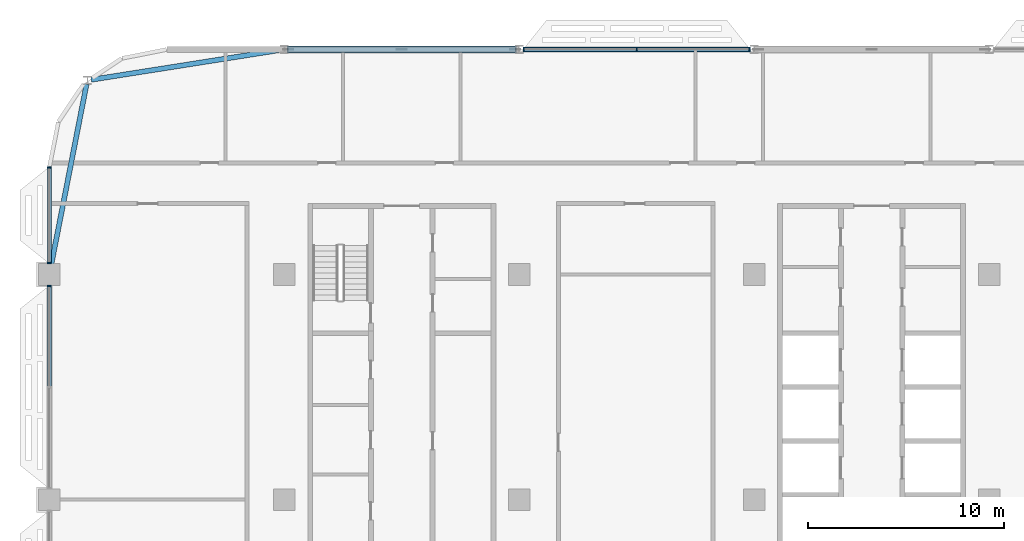
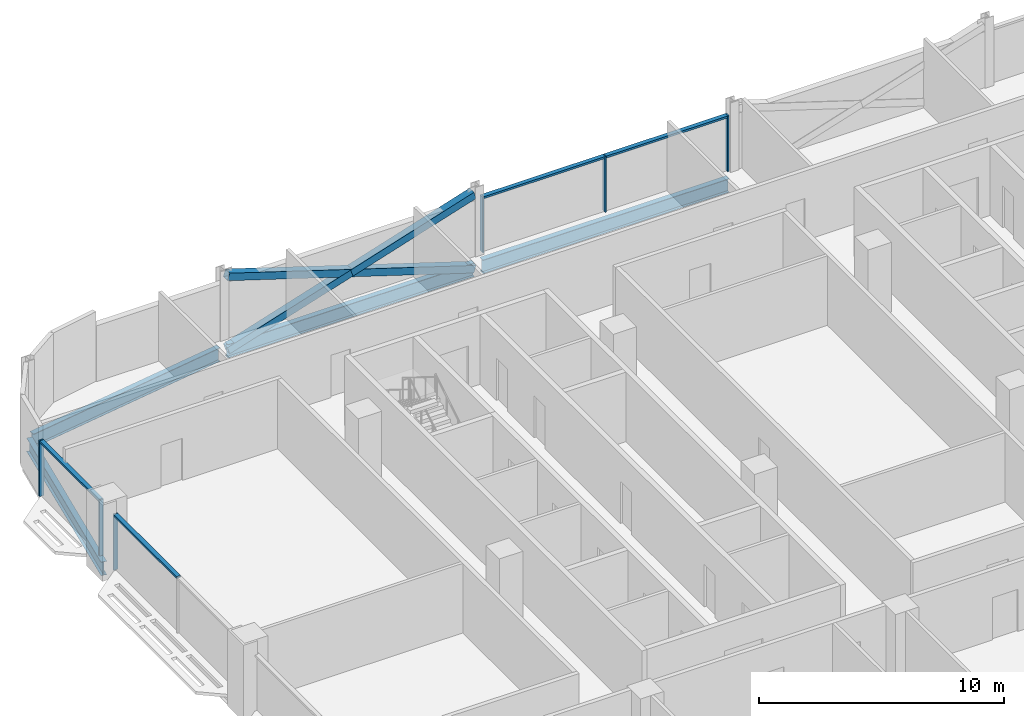
# One storey, part 7 of 29: 13 members, 4 beams, 3 elements without a shape of their own.
"""IFC4 building model written with IfcOpenShell, lengths in metres."""

from ifc_helpers import new_model, si_unit, direction, frame, origin, origin_2d, place, context, subcontext, project, spatial, rectangle, hollow_rectangle, i_section, extrude, material, material_profile, profile_set, type_object, element, aggregate, save


model = new_model("IFC4")

# Units and contexts
model_context = context("Model", 3, precision=1e-05, world=origin(), true_north=direction((0.0, 1.0)))
body_context = subcontext(model_context, "Body", "Model", "MODEL_VIEW")
ifc_project = project(units=[si_unit("LENGTHUNIT", "METRE"), si_unit("AREAUNIT", "SQUARE_METRE"), si_unit("VOLUMEUNIT", "CUBIC_METRE"), si_unit("PLANEANGLEUNIT", "RADIAN"), si_unit("MASSUNIT", "GRAM", prefix="KILO")], contexts=[model_context])

# Site, building, storey
site_placement = place(None, origin())
site = spatial("IfcSite", under=ifc_project, at=site_placement, CompositionType="ELEMENT")
building_placement = place(site_placement, origin())
building = spatial("IfcBuilding", under=site, at=building_placement, Name="Mahtab Terrace Research Tower", CompositionType="ELEMENT")
storey_placement = place(building_placement, frame((0.0, 0.0, 197.699951171875)))
storey = spatial("IfcBuildingStorey", under=building, at=storey_placement, Name="L47", CompositionType="ELEMENT", Elevation=197.699951171875)

# Members
ifc_material_1 = material(Name="Steel ASTM A500 Gr C", Category="steel")
ifc_material_profile_1 = material_profile(ifc_material_1, hollow_rectangle(XDim=0.355712890625, YDim=0.355712890625, WallThickness=0.015869140625, at=origin_2d()), Name="HSS14X14X5/8")
ifc_profile_set_1 = profile_set([ifc_material_profile_1], Name="Steel ASTM A500 Gr C")
member_type_1 = type_object("IfcMemberType", Name="HSS 14x14x5/8 brace XB141458", PredefinedType="BRACE", material=ifc_profile_set_1)
member_1_placement = place(storey_placement, frame((-18.20068359375, 23.0, -0.615478515625), z_axis=(-0.953343380425, 0.0, 0.301888057067), x_axis=(0.0, -1.0, 0.0)))
element("IfcMember", 1, at=member_1_placement, inside=storey, type_object=member_type_1, Name="Exoskeleton brace L47 07 a", PredefinedType="BRACE", context=body_context, shape_type="SweptSolid", body=[
    extrude(hollow_rectangle(XDim=0.355712890625, YDim=0.355712890625, WallThickness=0.015869140625, at=origin_2d()), origin(), (0.0, 0.0, 1.0), 12.166259765625),
])
for number, where, z_axis, x_axis, name in (
    (2, (-29.79931640625, 23.0, -0.615478515625), (0.953343380425, 0.0, 0.301888057067), (0.0, 1.0, 0.0), "Exoskeleton brace L47 07 b1"),
    (3, (-24.0, 23.0, 1.220947265625), (0.953343380425, 0.0, 0.301888057067), (0.0, 1.0, 0.0), "Exoskeleton brace L47 07 b2"),
):
    element("IfcMember", number, at=place(storey_placement, frame(where, z_axis=z_axis, x_axis=x_axis)), inside=storey, type_object=member_type_1, Name=name, PredefinedType="BRACE", context=body_context, shape_type="SweptSolid", body=[
        extrude(hollow_rectangle(XDim=0.355712890625, YDim=0.355712890625, WallThickness=0.015869140625, at=origin_2d()), origin(), (0.0, 0.0, 1.0), 6.083251953125),
    ])

# Curtain wall, members
ifc_material_2 = material(Name="Laboratory ribbon curtain wall")
curtain_wall_type = type_object("IfcCurtainWallType", Name="Laboratory ribbon curtain wall", PredefinedType="NOTDEFINED", material=ifc_material_2)
curtain_wall_1_placement = place(storey_placement, origin())
curtain_wall_1 = element("IfcCurtainWall", 4, at=curtain_wall_1_placement, inside=storey, type_object=curtain_wall_type, Name="EN.L47.3.8", PredefinedType="NOTDEFINED")
ifc_material_3 = material(Name="Natural anodised aluminium", Category="aluminium")
ifc_material_profile_2 = material_profile(ifc_material_3, rectangle(XDim=0.199951171875, YDim=0.06494140625, at=origin_2d()), Name="MULLION 65x200")
ifc_profile_set_2 = profile_set([ifc_material_profile_2], Name="Natural anodised aluminium")
member_type_2 = type_object("IfcMemberType", Name="Laboratory ribbon curtain wall mullion", PredefinedType="MULLION", material=ifc_profile_set_2)
member_2_placement = place(storey_placement, frame((-6.232421875, 23.0, 0.0), z_axis=(0.0, 0.0, 1.0), x_axis=(0.0, -1.0, 0.0)))
member_2 = element("IfcMember", 5, at=member_2_placement, type_object=member_type_2, Name="CWL-6 mullion 1", PredefinedType="MULLION", context=body_context, shape_type="SweptSolid", body=[
    extrude(rectangle(XDim=0.199951171875, YDim=0.06494140625, at=origin_2d()), origin(), (0.0, 0.0, 1.0), 2.78173828125),
])
member_3_placement = place(storey_placement, frame((-12.0, 23.0, 0.0), z_axis=(0.0, 0.0, 1.0), x_axis=(0.0, -1.0, 0.0)))
member_3 = element("IfcMember", 6, at=member_3_placement, type_object=member_type_2, Name="CWL-6 mullion 2", PredefinedType="MULLION", context=body_context, shape_type="SweptSolid", body=[
    extrude(rectangle(XDim=0.199951171875, YDim=0.06494140625, at=origin_2d()), origin(), (0.0, 0.0, 1.0), 2.78173828125),
])
member_4_placement = place(storey_placement, frame((-17.767578125, 23.0, 0.0), z_axis=(0.0, 0.0, 1.0), x_axis=(0.0, -1.0, 0.0)))
member_4 = element("IfcMember", 7, at=member_4_placement, type_object=member_type_2, Name="CWL-6 mullion 3", PredefinedType="MULLION", context=body_context, shape_type="SweptSolid", body=[
    extrude(rectangle(XDim=0.199951171875, YDim=0.06494140625, at=origin_2d()), origin(), (0.0, 0.0, 1.0), 2.78173828125),
])

curtain_wall_2_placement = place(storey_placement, origin())
curtain_wall_2 = element("IfcCurtainWall", 8, at=curtain_wall_2_placement, inside=storey, type_object=curtain_wall_type, Name="EN.L47.8.15", PredefinedType="NOTDEFINED")
member_5_placement = place(storey_placement, frame((-42.0, 16.967529296875, 0.0), z_axis=(0.0, 0.0, 1.0), x_axis=(1.0, 0.0, 0.0)))
member_5 = element("IfcMember", 9, at=member_5_placement, type_object=member_type_2, Name="CWL-6 mullion 1", PredefinedType="MULLION", context=body_context, shape_type="SweptSolid", body=[
    extrude(rectangle(XDim=0.199951171875, YDim=0.06494140625, at=origin_2d()), origin(), (0.0, 0.0, 1.0), 2.78173828125),
])
member_6_placement = place(storey_placement, frame((-42.0, 12.08251953125, 0.0), z_axis=(0.0, 0.0, 1.0), x_axis=(1.0, 0.0, 0.0)))
member_6 = element("IfcMember", 10, at=member_6_placement, type_object=member_type_2, Name="CWL-6 mullion 2", PredefinedType="MULLION", context=body_context, shape_type="SweptSolid", body=[
    extrude(rectangle(XDim=0.199951171875, YDim=0.06494140625, at=origin_2d()), origin(), (0.0, 0.0, 1.0), 2.78173828125),
])

# Curtain wall, member
curtain_wall_3_placement = place(storey_placement, origin())
curtain_wall_3 = element("IfcCurtainWall", 11, at=curtain_wall_3_placement, inside=storey, type_object=curtain_wall_type, Name="EN.L47.8.16", PredefinedType="NOTDEFINED")
member_7_placement = place(storey_placement, frame((-42.0, 10.91748046875, 0.0), z_axis=(0.0, 0.0, 1.0), x_axis=(1.0, 0.0, 0.0)))
member_7 = element("IfcMember", 12, at=member_7_placement, type_object=member_type_2, Name="CWL-6 mullion 1", PredefinedType="MULLION", context=body_context, shape_type="SweptSolid", body=[
    extrude(rectangle(XDim=0.199951171875, YDim=0.06494140625, at=origin_2d()), origin(), (0.0, 0.0, 1.0), 2.78173828125),
])

# Member
ifc_material_profile_3 = material_profile(ifc_material_3, rectangle(XDim=0.199951171875, YDim=0.10009765625, at=origin_2d()), Name="TRANSOM 100x200")
ifc_profile_set_3 = profile_set([ifc_material_profile_3], Name="Natural anodised aluminium")
member_type_3 = type_object("IfcMemberType", Name="Laboratory ribbon curtain wall transom", PredefinedType="USERDEFINED", material=ifc_profile_set_3)
member_8_placement = place(storey_placement, frame((-6.264892578125, 23.0, 2.73193359375), z_axis=(-1.0, 0.0, 0.0), x_axis=(0.0, -1.0, 0.0)))
member_8 = element("IfcMember", 13, at=member_8_placement, type_object=member_type_3, Name="CWL-6 transom 1", ObjectType="TRANSOM", PredefinedType="USERDEFINED", context=body_context, shape_type="SweptSolid", body=[
    extrude(rectangle(XDim=0.199951171875, YDim=0.10009765625, at=origin_2d()), origin(), (0.0, 0.0, 1.0), 5.70263671875),
])

member_9_placement = place(storey_placement, frame((-12.032470703125, 23.0, 2.73193359375), z_axis=(-1.0, 0.0, 0.0), x_axis=(0.0, -1.0, 0.0)))
member_9 = element("IfcMember", 14, at=member_9_placement, type_object=member_type_3, Name="CWL-6 transom 2", ObjectType="TRANSOM", PredefinedType="USERDEFINED", context=body_context, shape_type="SweptSolid", body=[
    extrude(rectangle(XDim=0.199951171875, YDim=0.10009765625, at=origin_2d()), origin(), (0.0, 0.0, 1.0), 5.70263671875),
])

aggregate(curtain_wall_1, [member_2, member_3, member_4, member_8, member_9])

member_10_placement = place(storey_placement, frame((-42.0, 16.93505859375, 2.73193359375), z_axis=(0.0, -1.0, 0.0), x_axis=(1.0, 0.0, 0.0)))
member_10 = element("IfcMember", 15, at=member_10_placement, type_object=member_type_3, Name="CWL-6 transom 1", ObjectType="TRANSOM", PredefinedType="USERDEFINED", context=body_context, shape_type="SweptSolid", body=[
    extrude(rectangle(XDim=0.199951171875, YDim=0.10009765625, at=origin_2d()), origin(), (0.0, 0.0, 1.0), 4.820068359375),
])

aggregate(curtain_wall_2, [member_5, member_6, member_10])

member_11_placement = place(storey_placement, frame((-42.0, 10.885009765625, 2.73193359375), z_axis=(0.0, -1.0, 0.0), x_axis=(1.0, 0.0, 0.0)))
member_11 = element("IfcMember", 16, at=member_11_placement, type_object=member_type_3, Name="CWL-6 transom 1", ObjectType="TRANSOM", PredefinedType="USERDEFINED", context=body_context, shape_type="SweptSolid", body=[
    extrude(rectangle(XDim=0.199951171875, YDim=0.10009765625, at=origin_2d()), origin(), (0.0, 0.0, 1.0), 5.1025390625),
])

aggregate(curtain_wall_3, [member_7, member_11])

# Beams
ifc_material_4 = material(Name="Steel ASTM A992 Gr 50", Category="steel")
ifc_material_profile_4 = material_profile(ifc_material_4, i_section(OverallWidth=0.25390625, OverallDepth=0.67822265625, WebThickness=0.01171875, FlangeThickness=0.016357421875, at=origin_2d()), Name="W27X84")
ifc_profile_set_4 = profile_set([ifc_material_profile_4], Name="Steel ASTM A992 Gr 50")
beam_type = type_object("IfcBeamType", Name="W27x84 beam BS2784", PredefinedType="BEAM", material=ifc_profile_set_4)
for number, where, z_axis, x_axis, name in (
    (17, (-6.20068359375, 23.0, -0.678955078125), (-1.0, 0.0, 0.0), (0.0, -1.0, 0.0), "Spandrel beam L47 06"),
    (18, (-18.20068359375, 23.0, -0.678955078125), (-1.0, 0.0, 0.0), (0.0, -1.0, 0.0), "Spandrel beam L47 07"),
):
    element("IfcBeam", number, at=place(storey_placement, frame(where, z_axis=z_axis, x_axis=x_axis)), inside=storey, type_object=beam_type, Name=name, PredefinedType="BEAM", context=body_context, shape_type="SweptSolid", body=[
        extrude(i_section(OverallWidth=0.25390625, OverallDepth=0.67822265625, WebThickness=0.01171875, FlangeThickness=0.016357421875, at=origin_2d()), origin(), (0.0, 0.0, 1.0), 11.5986328125),
    ])
beam_1_placement = place(storey_placement, frame((-30.20068359375, 22.968505859375, -0.678955078125), z_axis=(-0.987831689273, -0.155526697604, 0.0), x_axis=(0.155526697604, -0.987831689273, 0.0)))
element("IfcBeam", 19, at=beam_1_placement, inside=storey, type_object=beam_type, Name="Spandrel beam L47 08", PredefinedType="BEAM", context=body_context, shape_type="SweptSolid", body=[
    extrude(i_section(OverallWidth=0.25390625, OverallDepth=0.67822265625, WebThickness=0.01171875, FlangeThickness=0.016357421875, at=origin_2d()), origin(), (0.0, 0.0, 1.0), 9.779541015625),
])
beam_2_placement = place(storey_placement, frame((-40.10107421875, 21.216552734375, -0.678955078125), z_axis=(-0.191811291145, -0.981431825747, 0.0), x_axis=(0.981431825747, -0.191811291145, 0.0)))
element("IfcBeam", 20, at=beam_2_placement, inside=storey, type_object=beam_type, Name="Spandrel beam L47 09", PredefinedType="BEAM", context=body_context, shape_type="SweptSolid", body=[
    extrude(i_section(OverallWidth=0.25390625, OverallDepth=0.67822265625, WebThickness=0.01171875, FlangeThickness=0.016357421875, at=origin_2d()), origin(), (0.0, 0.0, 1.0), 9.33984375),
])

save(model, "model.ifc")
